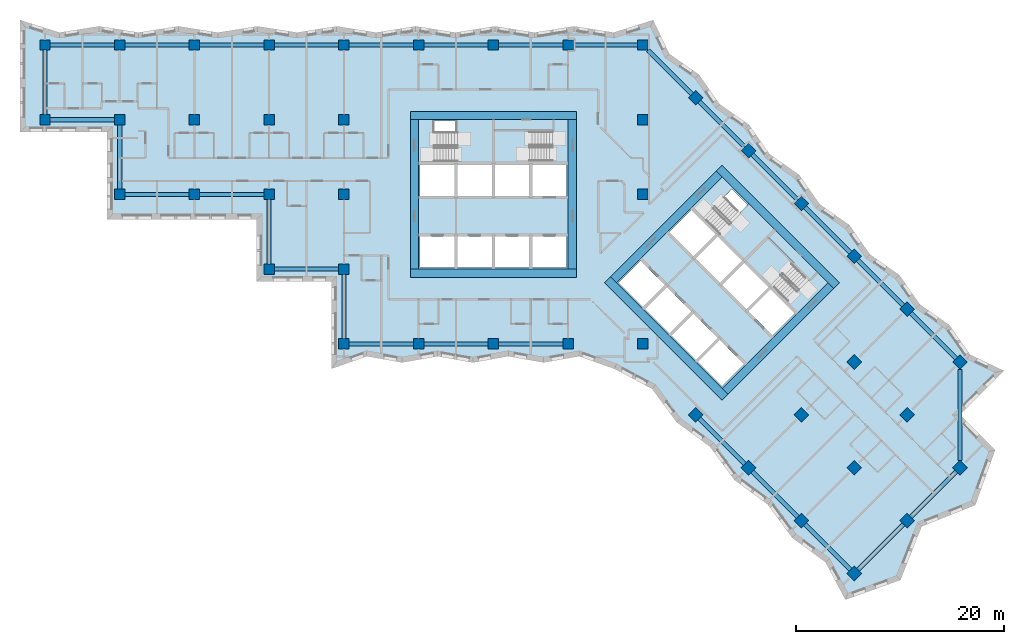
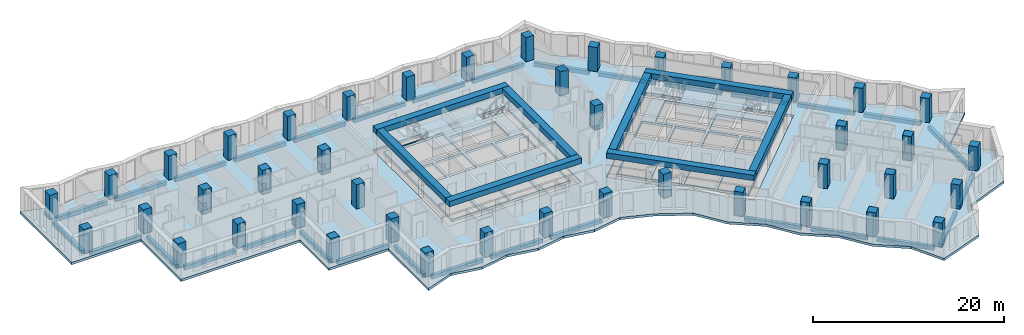
# One storey, part 1 of 13: 43 columns, 39 beams, 7 slabs, 22 openings, 4 elements without a shape of their own.
"""IFC4 building model written with IfcOpenShell, lengths in metres."""

from ifc_helpers import new_model, si_unit, direction, frame, origin, origin_2d, place, context, subcontext, project, spatial, polyline, rectangle, outline, extrude, material, layer, layer_set, material_profile, profile_set, type_object, element, aggregate, save


model = new_model("IFC4")

# Units and contexts
model_context = context("Model", 3, precision=1e-05, world=origin(), true_north=direction((0.0, 1.0)))
body_context = subcontext(model_context, "Body", "Model", "MODEL_VIEW")
ifc_project = project(units=[si_unit("LENGTHUNIT", "METRE"), si_unit("AREAUNIT", "SQUARE_METRE"), si_unit("VOLUMEUNIT", "CUBIC_METRE"), si_unit("PLANEANGLEUNIT", "RADIAN"), si_unit("MASSUNIT", "GRAM", prefix="KILO")], contexts=[model_context])

# Site, building, storey
site_placement = place(None, origin())
site = spatial("IfcSite", under=ifc_project, at=site_placement, CompositionType="ELEMENT")
building_placement = place(site_placement, origin())
building = spatial("IfcBuilding", under=site, at=building_placement, Name="Windrow Commons", CompositionType="ELEMENT")
storey_placement = place(building_placement, frame((0.0, 0.0, 115.2)))
storey = spatial("IfcBuildingStorey", under=building, at=storey_placement, Name="L31", CompositionType="ELEMENT", Elevation=115.2)

# Columns
ifc_material_1 = material(Name="Concrete C60/75", Category="concrete")
ifc_material_profile_1 = material_profile(ifc_material_1, rectangle(XDim=1.0, YDim=1.0, at=origin_2d()))
ifc_profile_set_1 = profile_set([ifc_material_profile_1], Name="Concrete C60/75")
column_type = type_object("IfcColumnType", Name="RC COLUMN 1000x1000 C60/75", PredefinedType="COLUMN", material=ifc_profile_set_1)
for number, where, z_axis, x_axis, name in (
    (1, (21.6, 64.8, 0.0), (0.0, 0.0, 1.0), (1.0, 0.0, 0.0), "C-Z2-04I"),
    (2, (21.6, 72.0, 0.0), (0.0, 0.0, 1.0), (1.0, 0.0, 0.0), "C-Z2-04J"),
    (3, (28.8, 57.6, 0.0), (0.0, 0.0, 1.0), (1.0, 0.0, 0.0), "C-Z2-05H"),
    (4, (28.8, 64.8, 0.0), (0.0, 0.0, 1.0), (1.0, 0.0, 0.0), "C-Z2-05I"),
    (5, (28.8, 72.0, 0.0), (0.0, 0.0, 1.0), (1.0, 0.0, 0.0), "C-Z2-05J"),
    (6, (36.0, 57.6, 0.0), (0.0, 0.0, 1.0), (1.0, 0.0, 0.0), "C-Z2-06H"),
    (7, (36.0, 64.8, 0.0), (0.0, 0.0, 1.0), (1.0, 0.0, 0.0), "C-Z2-06I"),
    (8, (36.0, 72.0, 0.0), (0.0, 0.0, 1.0), (1.0, 0.0, 0.0), "C-Z2-06J"),
    (9, (43.2, 50.4, 0.0), (0.0, 0.0, 1.0), (1.0, 0.0, 0.0), "C-Z2-07G"),
    (10, (43.2, 57.6, 0.0), (0.0, 0.0, 1.0), (1.0, 0.0, 0.0), "C-Z2-07H"),
    (11, (43.2, 64.8, 0.0), (0.0, 0.0, 1.0), (1.0, 0.0, 0.0), "C-Z2-07I"),
    (12, (43.2, 72.0, 0.0), (0.0, 0.0, 1.0), (1.0, 0.0, 0.0), "C-Z2-07J"),
    (13, (50.4, 43.2, 0.0), (0.0, 0.0, 1.0), (1.0, 0.0, 0.0), "C-Z2-08F"),
    (14, (50.4, 50.4, 0.0), (0.0, 0.0, 1.0), (1.0, 0.0, 0.0), "C-Z2-08G"),
    (15, (50.4, 57.6, 0.0), (0.0, 0.0, 1.0), (1.0, 0.0, 0.0), "C-Z2-08H"),
    (16, (50.4, 64.8, 0.0), (0.0, 0.0, 1.0), (1.0, 0.0, 0.0), "C-Z2-08I"),
    (17, (50.4, 72.0, 0.0), (0.0, 0.0, 1.0), (1.0, 0.0, 0.0), "C-Z2-08J"),
    (18, (57.6, 43.2, 0.0), (0.0, 0.0, 1.0), (1.0, 0.0, 0.0), "C-Z2-09F"),
    (19, (57.6, 72.0, 0.0), (0.0, 0.0, 1.0), (1.0, 0.0, 0.0), "C-Z2-09J"),
    (20, (64.8, 43.2, 0.0), (0.0, 0.0, 1.0), (1.0, 0.0, 0.0), "C-Z2-10F"),
    (21, (64.8, 72.0, 0.0), (0.0, 0.0, 1.0), (1.0, 0.0, 0.0), "C-Z2-10J"),
    (22, (72.0, 43.2, 0.0), (0.0, 0.0, 1.0), (1.0, 0.0, 0.0), "C-Z2-11F"),
    (23, (72.0, 72.0, 0.0), (0.0, 0.0, 1.0), (1.0, 0.0, 0.0), "C-Z2-11J"),
    (24, (79.2, 43.2, 0.0), (0.0, 0.0, 1.0), (1.0, 0.0, 0.0), "C-Z2-12F"),
    (25, (79.2, 57.6, 0.0), (0.0, 0.0, 1.0), (1.0, 0.0, 0.0), "C-Z2-12H"),
    (26, (79.2, 64.8, 0.0), (0.0, 0.0, 1.0), (1.0, 0.0, 0.0), "C-Z2-12I"),
    (27, (79.2, 72.0, 0.0), (0.0, 0.0, 1.0), (1.0, 0.0, 0.0), "C-Z2-12J"),
    (28, (84.2912, 66.9088, 0.0), (0.0, 0.0, 1.0), (0.7071067812, -0.7071067812, 0.0), "C-Z2-P2Q"),
    (29, (89.3823, 61.8177, 0.0), (0.0, 0.0, 1.0), (0.7071067812, -0.7071067812, 0.0), "C-Z2-P3Q"),
    (30, (94.4735, 56.7265, 0.0), (0.0, 0.0, 1.0), (0.7071067812, -0.7071067812, 0.0), "C-Z2-P4Q"),
    (31, (99.5647, 51.6353, 0.0), (0.0, 0.0, 1.0), (0.7071067812, -0.7071067812, 0.0), "C-Z2-P5Q"),
    (32, (84.2912, 36.3618, 0.0), (0.0, 0.0, 1.0), (0.7071067812, -0.7071067812, 0.0), "C-Z2-P5T"),
    (33, (104.6558, 46.5442, 0.0), (0.0, 0.0, 1.0), (0.7071067812, -0.7071067812, 0.0), "C-Z2-P6Q"),
    (34, (99.5647, 41.453, 0.0), (0.0, 0.0, 1.0), (0.7071067812, -0.7071067812, 0.0), "C-Z2-P6R"),
    (35, (94.4735, 36.3618, 0.0), (0.0, 0.0, 1.0), (0.7071067812, -0.7071067812, 0.0), "C-Z2-P6S"),
    (36, (89.3823, 31.2706, 0.0), (0.0, 0.0, 1.0), (0.7071067812, -0.7071067812, 0.0), "C-Z2-P6T"),
    (37, (109.747, 41.453, 0.0), (0.0, 0.0, 1.0), (0.7071067812, -0.7071067812, 0.0), "C-Z2-P7Q"),
    (38, (104.6558, 36.3618, 0.0), (0.0, 0.0, 1.0), (0.7071067812, -0.7071067812, 0.0), "C-Z2-P7R"),
    (39, (99.5647, 31.2706, 0.0), (0.0, 0.0, 1.0), (0.7071067812, -0.7071067812, 0.0), "C-Z2-P7S"),
    (40, (94.4735, 26.1795, 0.0), (0.0, 0.0, 1.0), (0.7071067812, -0.7071067812, 0.0), "C-Z2-P7T"),
    (41, (109.747, 31.2706, 0.0), (0.0, 0.0, 1.0), (0.7071067812, -0.7071067812, 0.0), "C-Z2-P8R"),
    (42, (104.6558, 26.1795, 0.0), (0.0, 0.0, 1.0), (0.7071067812, -0.7071067812, 0.0), "C-Z2-P8S"),
    (43, (99.5647, 21.0883, 0.0), (0.0, 0.0, 1.0), (0.7071067812, -0.7071067812, 0.0), "C-Z2-P8T"),
):
    element("IfcColumn", number, at=place(storey_placement, frame(where, z_axis=z_axis, x_axis=x_axis)), inside=storey, type_object=column_type, Name=name, PredefinedType="COLUMN", context=body_context, shape_type="SweptSolid", body=[
        extrude(rectangle(XDim=1.0, YDim=1.0, at=origin_2d()), origin(), (0.0, 0.0, 1.0), 3.1),
    ])

# Beams
ifc_material_2 = material(Name="Concrete C50/60", Category="concrete")
ifc_material_profile_2 = material_profile(ifc_material_2, rectangle(XDim=0.8, YDim=0.7, at=origin_2d()))
ifc_profile_set_2 = profile_set([ifc_material_profile_2], Name="Concrete C50/60")
beam_type_1 = type_object("IfcBeamType", Name="RC COUPLING BEAM 800x700 C50/60", PredefinedType="LINTEL", material=ifc_profile_set_2)
for number, where, z_axis, x_axis, name in (
    (44, (56.8, 50.0, 2.75), (1.0, 0.0, 0.0), (0.0, 1.0, 0.0), "Core A coupling beam outer-S"),
    (45, (56.8, 65.2, 2.75), (1.0, 0.0, 0.0), (0.0, 1.0, 0.0), "Core A coupling beam outer-N"),
):
    element("IfcBeam", number, at=place(storey_placement, frame(where, z_axis=z_axis, x_axis=x_axis)), inside=storey, type_object=beam_type_1, Name=name, PredefinedType="LINTEL", context=body_context, shape_type="SweptSolid", body=[
        extrude(rectangle(XDim=0.8, YDim=0.7, at=origin_2d()), origin(), (0.0, 0.0, 1.0), 16.0),
    ])
for number, where, z_axis, x_axis, name in (
    (46, (57.2, 50.4, 2.75), (0.0, 1.0, 0.0), (-1.0, 0.0, 0.0), "Core A coupling beam outer-W"),
    (47, (72.4, 50.4, 2.75), (0.0, 1.0, 0.0), (-1.0, 0.0, 0.0), "Core A coupling beam outer-E"),
):
    element("IfcBeam", number, at=place(storey_placement, frame(where, z_axis=z_axis, x_axis=x_axis)), inside=storey, type_object=beam_type_1, Name=name, PredefinedType="LINTEL", context=body_context, shape_type="SweptSolid", body=[
        extrude(rectangle(XDim=0.8, YDim=0.7, at=origin_2d()), origin(), (0.0, 0.0, 1.0), 14.4),
    ])
for number, where, z_axis, x_axis, name in (
    (48, (75.8059, 49.3726, 2.75), (0.7071067812, -0.7071067812, 0.0), (0.7071067812, 0.7071067812, 0.0), "Core B coupling beam outer-S"),
    (49, (86.5539, 60.1206, 2.75), (0.7071067812, -0.7071067812, 0.0), (0.7071067812, 0.7071067812, 0.0), "Core B coupling beam outer-N"),
):
    element("IfcBeam", number, at=place(storey_placement, frame(where, z_axis=z_axis, x_axis=x_axis)), inside=storey, type_object=beam_type_1, Name=name, PredefinedType="LINTEL", context=body_context, shape_type="SweptSolid", body=[
        extrude(rectangle(XDim=0.8, YDim=0.7, at=origin_2d()), origin(), (0.0, 0.0, 1.0), 16.0),
    ])
for number, where, z_axis, x_axis, name in (
    (50, (76.3716, 49.3726, 2.75), (0.7071067812, 0.7071067812, 0.0), (-0.7071067812, 0.7071067812, 0.0), "Core B coupling beam outer-W"),
    (51, (87.1196, 38.6246, 2.75), (0.7071067812, 0.7071067812, 0.0), (-0.7071067812, 0.7071067812, 0.0), "Core B coupling beam outer-E"),
):
    element("IfcBeam", number, at=place(storey_placement, frame(where, z_axis=z_axis, x_axis=x_axis)), inside=storey, type_object=beam_type_1, Name=name, PredefinedType="LINTEL", context=body_context, shape_type="SweptSolid", body=[
        extrude(rectangle(XDim=0.8, YDim=0.7, at=origin_2d()), origin(), (0.0, 0.0, 1.0), 14.3999),
    ])
ifc_material_3 = material(Name="Concrete C50/60", Category="concrete")
ifc_material_profile_3 = material_profile(ifc_material_3, rectangle(XDim=0.4, YDim=0.5, at=origin_2d()))
ifc_profile_set_3 = profile_set([ifc_material_profile_3], Name="Concrete C50/60")
beam_type_2 = type_object("IfcBeamType", Name="RC EDGE BEAM 400x500 C50/60", PredefinedType="SPANDREL", material=ifc_profile_set_3)
for number, where, z_axis, x_axis, name in (
    (52, (35.5, 57.6, -0.55), (-1.0, 0.0, 0.0), (0.0, -1.0, 0.0), "Edge beam L31 001"),
    (53, (28.8, 58.1, -0.55), (0.0, 1.0, 0.0), (-1.0, 0.0, 0.0), "Edge beam L31 002"),
    (54, (28.3, 64.8, -0.55), (-1.0, 0.0, 0.0), (0.0, -1.0, 0.0), "Edge beam L31 003"),
    (55, (21.6, 65.3, -0.55), (0.0, 1.0, 0.0), (-1.0, 0.0, 0.0), "Edge beam L31 004"),
    (56, (22.1, 72.0, -0.55), (1.0, 0.0, 0.0), (0.0, 1.0, 0.0), "Edge beam L31 005"),
    (57, (29.3, 72.0, -0.55), (1.0, 0.0, 0.0), (0.0, 1.0, 0.0), "Edge beam L31 006"),
    (58, (36.5, 72.0, -0.55), (1.0, 0.0, 0.0), (0.0, 1.0, 0.0), "Edge beam L31 007"),
    (59, (43.7, 72.0, -0.55), (1.0, 0.0, 0.0), (0.0, 1.0, 0.0), "Edge beam L31 008"),
    (60, (50.9, 72.0, -0.55), (1.0, 0.0, 0.0), (0.0, 1.0, 0.0), "Edge beam L31 009"),
    (61, (58.1, 72.0, -0.55), (1.0, 0.0, 0.0), (0.0, 1.0, 0.0), "Edge beam L31 010"),
    (62, (65.3, 72.0, -0.55), (1.0, 0.0, 0.0), (0.0, 1.0, 0.0), "Edge beam L31 011"),
    (63, (72.5, 72.0, -0.55), (1.0, 0.0, 0.0), (0.0, 1.0, 0.0), "Edge beam L31 012"),
):
    element("IfcBeam", number, at=place(storey_placement, frame(where, z_axis=z_axis, x_axis=x_axis)), inside=storey, type_object=beam_type_2, Name=name, PredefinedType="SPANDREL", context=body_context, shape_type="SweptSolid", body=[
        extrude(rectangle(XDim=0.4, YDim=0.5, at=origin_2d()), origin(), (0.0, 0.0, 1.0), 6.2),
    ])
beam_1_placement = place(storey_placement, frame((79.7, 71.5, -0.55), z_axis=(0.7071067812, -0.7071067812, 0.0), x_axis=(0.7071067812, 0.7071067812, 0.0)))
element("IfcBeam", 64, at=beam_1_placement, inside=storey, type_object=beam_type_2, Name="Edge beam L31 013", PredefinedType="SPANDREL", context=body_context, shape_type="SweptSolid", body=[
    extrude(rectangle(XDim=0.4, YDim=0.5, at=origin_2d()), origin(), (0.0, 0.0, 1.0), 5.9929),
])
beam_2_placement = place(storey_placement, frame((84.6448, 66.5552, -0.55), z_axis=(0.7071067812, -0.7071067812, 0.0), x_axis=(0.7071067812, 0.7071067812, 0.0)))
element("IfcBeam", 65, at=beam_2_placement, inside=storey, type_object=beam_type_2, Name="Edge beam L31 014", PredefinedType="SPANDREL", context=body_context, shape_type="SweptSolid", body=[
    extrude(rectangle(XDim=0.4, YDim=0.5, at=origin_2d()), origin(), (0.0, 0.0, 1.0), 6.1998),
])
for number, where, z_axis, x_axis, name in (
    (66, (89.7359, 61.4641, -0.55), (0.7071067812, -0.7071067812, 0.0), (0.7071067812, 0.7071067812, 0.0), "Edge beam L31 015"),
    (67, (94.8271, 56.3729, -0.55), (0.7071067812, -0.7071067812, 0.0), (0.7071067812, 0.7071067812, 0.0), "Edge beam L31 016"),
):
    element("IfcBeam", number, at=place(storey_placement, frame(where, z_axis=z_axis, x_axis=x_axis)), inside=storey, type_object=beam_type_2, Name=name, PredefinedType="SPANDREL", context=body_context, shape_type="SweptSolid", body=[
        extrude(rectangle(XDim=0.4, YDim=0.5, at=origin_2d()), origin(), (0.0, 0.0, 1.0), 6.1999),
    ])
beam_3_placement = place(storey_placement, frame((99.9183, 51.2817, -0.55), z_axis=(0.7071067812, -0.7071067812, 0.0), x_axis=(0.7071067812, 0.7071067812, 0.0)))
element("IfcBeam", 68, at=beam_3_placement, inside=storey, type_object=beam_type_2, Name="Edge beam L31 017", PredefinedType="SPANDREL", context=body_context, shape_type="SweptSolid", body=[
    extrude(rectangle(XDim=0.4, YDim=0.5, at=origin_2d()), origin(), (0.0, 0.0, 1.0), 6.1998),
])
beam_4_placement = place(storey_placement, frame((105.0094, 46.1906, -0.55), z_axis=(0.7071067812, -0.7071067812, 0.0), x_axis=(0.7071067812, 0.7071067812, 0.0)))
element("IfcBeam", 69, at=beam_4_placement, inside=storey, type_object=beam_type_2, Name="Edge beam L31 018", PredefinedType="SPANDREL", context=body_context, shape_type="SweptSolid", body=[
    extrude(rectangle(XDim=0.4, YDim=0.5, at=origin_2d()), origin(), (0.0, 0.0, 1.0), 6.1999),
])
beam_5_placement = place(storey_placement, frame((109.747, 40.7459, -0.55), z_axis=(0.0, -1.0, 0.0), x_axis=(1.0, 0.0, 0.0)))
element("IfcBeam", 70, at=beam_5_placement, inside=storey, type_object=beam_type_2, Name="Edge beam L31 019", PredefinedType="SPANDREL", context=body_context, shape_type="SweptSolid", body=[
    extrude(rectangle(XDim=0.4, YDim=0.5, at=origin_2d()), origin(), (0.0, 0.0, 1.0), 8.7682),
])
for number, where, z_axis, x_axis, name in (
    (71, (109.3934, 30.917, -0.55), (-0.7071148459, -0.7070987164, 0.0), (0.7070987164, -0.7071148459, 0.0), "Edge beam L31 020"),
    (72, (104.3022, 25.8259, -0.55), (-0.7070987164, -0.7071148459, 0.0), (0.7071148459, -0.7070987164, 0.0), "Edge beam L31 021"),
):
    element("IfcBeam", number, at=place(storey_placement, frame(where, z_axis=z_axis, x_axis=x_axis)), inside=storey, type_object=beam_type_2, Name=name, PredefinedType="SPANDREL", context=body_context, shape_type="SweptSolid", body=[
        extrude(rectangle(XDim=0.4, YDim=0.5, at=origin_2d()), origin(), (0.0, 0.0, 1.0), 6.1998),
    ])
beam_6_placement = place(storey_placement, frame((99.2111, 21.4419, -0.55), z_axis=(-0.7071067812, 0.7071067812, 0.0), x_axis=(-0.7071067812, -0.7071067812, 0.0)))
element("IfcBeam", 73, at=beam_6_placement, inside=storey, type_object=beam_type_2, Name="Edge beam L31 022", PredefinedType="SPANDREL", context=body_context, shape_type="SweptSolid", body=[
    extrude(rectangle(XDim=0.4, YDim=0.5, at=origin_2d()), origin(), (0.0, 0.0, 1.0), 6.1999),
])
for number, where, z_axis, x_axis, name in (
    (74, (94.1199, 26.5331, -0.55), (-0.7071148459, 0.7070987164, 0.0), (-0.7070987164, -0.7071148459, 0.0), "Edge beam L31 023"),
    (75, (89.0287, 31.6242, -0.55), (-0.7070987164, 0.7071148459, 0.0), (-0.7071148459, -0.7070987164, 0.0), "Edge beam L31 024"),
):
    element("IfcBeam", number, at=place(storey_placement, frame(where, z_axis=z_axis, x_axis=x_axis)), inside=storey, type_object=beam_type_2, Name=name, PredefinedType="SPANDREL", context=body_context, shape_type="SweptSolid", body=[
        extrude(rectangle(XDim=0.4, YDim=0.5, at=origin_2d()), origin(), (0.0, 0.0, 1.0), 6.1998),
    ])
for number, where, z_axis, x_axis, name in (
    (76, (71.5, 43.2, -0.55), (-1.0, 0.0, 0.0), (0.0, -1.0, 0.0), "Edge beam L31 025"),
    (77, (64.3, 43.2, -0.55), (-1.0, 0.0, 0.0), (0.0, -1.0, 0.0), "Edge beam L31 026"),
    (78, (57.1, 43.2, -0.55), (-1.0, 0.0, 0.0), (0.0, -1.0, 0.0), "Edge beam L31 027"),
    (79, (50.4, 43.7, -0.55), (0.0, 1.0, 0.0), (-1.0, 0.0, 0.0), "Edge beam L31 028"),
    (80, (49.9, 50.4, -0.55), (-1.0, 0.0, 0.0), (0.0, -1.0, 0.0), "Edge beam L31 029"),
    (81, (43.2, 50.9, -0.55), (0.0, 1.0, 0.0), (-1.0, 0.0, 0.0), "Edge beam L31 030"),
    (82, (42.7, 57.6, -0.55), (-1.0, 0.0, 0.0), (0.0, -1.0, 0.0), "Edge beam L31 031"),
):
    element("IfcBeam", number, at=place(storey_placement, frame(where, z_axis=z_axis, x_axis=x_axis)), inside=storey, type_object=beam_type_2, Name=name, PredefinedType="SPANDREL", context=body_context, shape_type="SweptSolid", body=[
        extrude(rectangle(XDim=0.4, YDim=0.5, at=origin_2d()), origin(), (0.0, 0.0, 1.0), 6.2),
    ])

# Slab, openings
ifc_material_4 = material(Name="Concrete C50/60", Category="concrete")
ifc_layer_1 = layer(ifc_material_4, 0.3)
ifc_layer_set_1 = layer_set([ifc_layer_1], Name="CORE FLOOR SLAB 300 C50/60")
slab_type_1 = type_object("IfcSlabType", Name="CORE FLOOR SLAB 300 C50/60", PredefinedType="FLOOR", material=ifc_layer_set_1)
placement_1 = place(storey_placement, frame((0.0, 0.0, -0.3)))
slab_1 = element("IfcSlab", 83, at=placement_1, inside=storey, type_object=slab_type_1, Name="S-L31-core-A", PredefinedType="FLOOR", context=body_context, shape_type="SweptSolid", body=[
    extrude(outline(polyline([(57.6, 50.4), (72.0, 50.4), (72.0, 64.8), (57.6, 64.8), (57.6, 50.4)]), holes=[polyline([(57.75, 50.55), (61.05, 50.55), (61.05, 53.55), (57.75, 53.55), (57.75, 50.55)]), polyline([(61.35, 50.55), (64.65, 50.55), (64.65, 53.55), (61.35, 53.55), (61.35, 50.55)]), polyline([(64.95, 50.55), (68.25, 50.55), (68.25, 53.55), (64.95, 53.55), (64.95, 50.55)]), polyline([(68.55, 50.55), (71.85, 50.55), (71.85, 53.55), (68.55, 53.55), (68.55, 50.55)]), polyline([(57.75, 57.45), (61.05, 57.45), (61.05, 60.45), (57.75, 60.45), (57.75, 57.45)]), polyline([(61.35, 57.45), (64.65, 57.45), (64.65, 60.45), (61.35, 60.45), (61.35, 57.45)]), polyline([(64.95, 57.45), (68.25, 57.45), (68.25, 60.45), (64.95, 60.45), (64.95, 57.45)]), polyline([(68.55, 57.45), (71.85, 57.45), (71.85, 60.45), (68.55, 60.45), (68.55, 57.45)]), polyline([(59.1, 60.75), (64.65, 60.75), (64.65, 64.65), (59.1, 64.65), (59.1, 60.75)]), polyline([(64.95, 60.75), (70.5, 60.75), (70.5, 63.705), (64.95, 63.705), (64.95, 60.75)])]), origin(), (0.0, 0.0, 1.0), 0.3),
])
opening_1_placement = place(placement_1, origin())
element("IfcOpeningElement", 84, at=opening_1_placement, cuts=slab_1, Name="Slab opening S-L31-core-A 1", PredefinedType="OPENING", context=body_context, shape_type="SweptSolid", body=[
    extrude(outline(polyline([(57.755, 50.555), (57.755, 53.545), (61.045, 53.545), (61.045, 50.555), (57.755, 50.555)])), origin(), (0.0, 0.0, 1.0), 0.3),
])
opening_2_placement = place(placement_1, origin())
element("IfcOpeningElement", 85, at=opening_2_placement, cuts=slab_1, Name="Slab opening S-L31-core-A 2", PredefinedType="OPENING", context=body_context, shape_type="SweptSolid", body=[
    extrude(outline(polyline([(61.355, 50.555), (61.355, 53.545), (64.645, 53.545), (64.645, 50.555), (61.355, 50.555)])), origin(), (0.0, 0.0, 1.0), 0.3),
])
opening_3_placement = place(placement_1, origin())
element("IfcOpeningElement", 86, at=opening_3_placement, cuts=slab_1, Name="Slab opening S-L31-core-A 3", PredefinedType="OPENING", context=body_context, shape_type="SweptSolid", body=[
    extrude(outline(polyline([(64.955, 50.555), (64.955, 53.545), (68.245, 53.545), (68.245, 50.555), (64.955, 50.555)])), origin(), (0.0, 0.0, 1.0), 0.3),
])
opening_4_placement = place(placement_1, origin())
element("IfcOpeningElement", 87, at=opening_4_placement, cuts=slab_1, Name="Slab opening S-L31-core-A 4", PredefinedType="OPENING", context=body_context, shape_type="SweptSolid", body=[
    extrude(outline(polyline([(68.555, 50.555), (68.555, 53.545), (71.845, 53.545), (71.845, 50.555), (68.555, 50.555)])), origin(), (0.0, 0.0, 1.0), 0.3),
])
opening_5_placement = place(placement_1, origin())
element("IfcOpeningElement", 88, at=opening_5_placement, cuts=slab_1, Name="Slab opening S-L31-core-A 5", PredefinedType="OPENING", context=body_context, shape_type="SweptSolid", body=[
    extrude(outline(polyline([(57.755, 57.455), (57.755, 60.445), (61.045, 60.445), (61.045, 57.455), (57.755, 57.455)])), origin(), (0.0, 0.0, 1.0), 0.3),
])
opening_6_placement = place(placement_1, origin())
element("IfcOpeningElement", 89, at=opening_6_placement, cuts=slab_1, Name="Slab opening S-L31-core-A 6", PredefinedType="OPENING", context=body_context, shape_type="SweptSolid", body=[
    extrude(outline(polyline([(61.355, 57.455), (61.355, 60.445), (64.645, 60.445), (64.645, 57.455), (61.355, 57.455)])), origin(), (0.0, 0.0, 1.0), 0.3),
])
opening_7_placement = place(placement_1, origin())
element("IfcOpeningElement", 90, at=opening_7_placement, cuts=slab_1, Name="Slab opening S-L31-core-A 7", PredefinedType="OPENING", context=body_context, shape_type="SweptSolid", body=[
    extrude(outline(polyline([(64.955, 57.455), (64.955, 60.445), (68.245, 60.445), (68.245, 57.455), (64.955, 57.455)])), origin(), (0.0, 0.0, 1.0), 0.3),
])
opening_8_placement = place(placement_1, origin())
element("IfcOpeningElement", 91, at=opening_8_placement, cuts=slab_1, Name="Slab opening S-L31-core-A 8", PredefinedType="OPENING", context=body_context, shape_type="SweptSolid", body=[
    extrude(outline(polyline([(68.555, 57.455), (68.555, 60.445), (71.845, 60.445), (71.845, 57.455), (68.555, 57.455)])), origin(), (0.0, 0.0, 1.0), 0.3),
])
opening_9_placement = place(placement_1, origin())
element("IfcOpeningElement", 92, at=opening_9_placement, cuts=slab_1, Name="Slab opening S-L31-core-A 9", PredefinedType="OPENING", context=body_context, shape_type="SweptSolid", body=[
    extrude(outline(polyline([(59.105, 60.755), (59.105, 64.645), (64.645, 64.645), (64.645, 60.755), (59.105, 60.755)])), origin(), (0.0, 0.0, 1.0), 0.3),
])
opening_10_placement = place(placement_1, origin())
element("IfcOpeningElement", 93, at=opening_10_placement, cuts=slab_1, Name="Slab opening S-L31-core-A 10", PredefinedType="OPENING", context=body_context, shape_type="SweptSolid", body=[
    extrude(outline(polyline([(64.955, 60.755), (64.955, 63.7), (70.495, 63.7), (70.495, 60.755), (64.955, 60.755)])), origin(), (0.0, 0.0, 1.0), 0.3),
])

slab_2 = element("IfcSlab", 94, at=placement_1, inside=storey, type_object=slab_type_1, Name="S-L31-core-B", PredefinedType="FLOOR", context=body_context, shape_type="SweptSolid", body=[
    extrude(outline(polyline([(76.6544, 49.0897), (86.8368, 38.9074), (97.0191, 49.0897), (86.8368, 59.2721), (76.6544, 49.0897)]), holes=[polyline([(76.8665, 49.0897), (79.2, 46.7563), (81.3213, 48.8776), (78.9879, 51.2111), (76.8665, 49.0897)]), polyline([(79.4121, 46.5442), (81.7456, 44.2107), (83.8669, 46.332), (81.5335, 48.6655), (79.4121, 46.5442)]), polyline([(81.9577, 43.9986), (84.2912, 41.6651), (86.4125, 43.7864), (84.079, 46.1199), (81.9577, 43.9986)]), polyline([(84.5033, 41.453), (86.8368, 39.1195), (88.9581, 41.2409), (86.6246, 43.5743), (84.5033, 41.453)]), polyline([(81.7456, 53.9688), (84.079, 51.6353), (86.2004, 53.7566), (83.8669, 56.0901), (81.7456, 53.9688)]), polyline([(84.2912, 51.4232), (86.6246, 49.0897), (88.7459, 51.2111), (86.4125, 53.5445), (84.2912, 51.4232)]), polyline([(86.8368, 48.8776), (89.1702, 46.5442), (91.2915, 48.6655), (88.9581, 50.9989), (86.8368, 48.8776)]), polyline([(89.3823, 46.332), (91.7158, 43.9986), (93.8371, 46.1199), (91.5037, 48.4533), (89.3823, 46.332)]), polyline([(85.0336, 55.3476), (88.9581, 51.4232), (91.7158, 54.1809), (87.7913, 58.1054), (85.0336, 55.3476)]), polyline([(89.1702, 51.2111), (93.0946, 47.2866), (95.1841, 49.3761), (91.2597, 53.3006), (89.1702, 51.2111)])]), origin(), (0.0, 0.0, 1.0), 0.3),
])
opening_11_placement = place(placement_1, origin())
element("IfcOpeningElement", 95, at=opening_11_placement, cuts=slab_2, Name="Slab opening S-L31-core-B 1", PredefinedType="OPENING", context=body_context, shape_type="SweptSolid", body=[
    extrude(outline(polyline([(76.8736, 49.0897), (78.9879, 51.204), (81.3142, 48.8776), (79.2, 46.7634), (76.8736, 49.0897)])), origin(), (0.0, 0.0, 1.0), 0.3),
])
opening_12_placement = place(placement_1, origin())
element("IfcOpeningElement", 96, at=opening_12_placement, cuts=slab_2, Name="Slab opening S-L31-core-B 2", PredefinedType="OPENING", context=body_context, shape_type="SweptSolid", body=[
    extrude(outline(polyline([(79.4192, 46.5442), (81.5335, 48.6584), (83.8598, 46.332), (81.7456, 44.2178), (79.4192, 46.5442)])), origin(), (0.0, 0.0, 1.0), 0.3),
])
opening_13_placement = place(placement_1, origin())
element("IfcOpeningElement", 97, at=opening_13_placement, cuts=slab_2, Name="Slab opening S-L31-core-B 3", PredefinedType="OPENING", context=body_context, shape_type="SweptSolid", body=[
    extrude(outline(polyline([(81.9648, 43.9986), (84.079, 46.1128), (86.4054, 43.7864), (84.2912, 41.6722), (81.9648, 43.9986)])), origin(), (0.0, 0.0, 1.0), 0.3),
])
opening_14_placement = place(placement_1, origin())
element("IfcOpeningElement", 98, at=opening_14_placement, cuts=slab_2, Name="Slab opening S-L31-core-B 4", PredefinedType="OPENING", context=body_context, shape_type="SweptSolid", body=[
    extrude(outline(polyline([(84.5104, 41.453), (86.6246, 43.5672), (88.951, 41.2409), (86.8368, 39.1266), (84.5104, 41.453)])), origin(), (0.0, 0.0, 1.0), 0.3),
])
opening_15_placement = place(placement_1, origin())
element("IfcOpeningElement", 99, at=opening_15_placement, cuts=slab_2, Name="Slab opening S-L31-core-B 5", PredefinedType="OPENING", context=body_context, shape_type="SweptSolid", body=[
    extrude(outline(polyline([(81.7527, 53.9688), (83.8669, 56.083), (86.1933, 53.7566), (84.079, 51.6424), (81.7527, 53.9688)])), origin(), (0.0, 0.0, 1.0), 0.3),
])
opening_16_placement = place(placement_1, origin())
element("IfcOpeningElement", 100, at=opening_16_placement, cuts=slab_2, Name="Slab opening S-L31-core-B 6", PredefinedType="OPENING", context=body_context, shape_type="SweptSolid", body=[
    extrude(outline(polyline([(84.2983, 51.4232), (86.4125, 53.5374), (88.7388, 51.2111), (86.6246, 49.0968), (84.2983, 51.4232)])), origin(), (0.0, 0.0, 1.0), 0.3),
])
opening_17_placement = place(placement_1, origin())
element("IfcOpeningElement", 101, at=opening_17_placement, cuts=slab_2, Name="Slab opening S-L31-core-B 7", PredefinedType="OPENING", context=body_context, shape_type="SweptSolid", body=[
    extrude(outline(polyline([(86.8439, 48.8776), (88.9581, 50.9918), (91.2844, 48.6655), (89.1702, 46.5513), (86.8439, 48.8776)])), origin(), (0.0, 0.0, 1.0), 0.3),
])
opening_18_placement = place(placement_1, origin())
element("IfcOpeningElement", 102, at=opening_18_placement, cuts=slab_2, Name="Slab opening S-L31-core-B 8", PredefinedType="OPENING", context=body_context, shape_type="SweptSolid", body=[
    extrude(outline(polyline([(89.3894, 46.332), (91.5037, 48.4462), (93.83, 46.1199), (91.7158, 44.0057), (89.3894, 46.332)])), origin(), (0.0, 0.0, 1.0), 0.3),
])
opening_19_placement = place(placement_1, origin())
element("IfcOpeningElement", 103, at=opening_19_placement, cuts=slab_2, Name="Slab opening S-L31-core-B 9", PredefinedType="OPENING", context=body_context, shape_type="SweptSolid", body=[
    extrude(outline(polyline([(85.0407, 55.3476), (87.7913, 58.0983), (91.7087, 54.1809), (88.9581, 51.4303), (85.0407, 55.3476)])), origin(), (0.0, 0.0, 1.0), 0.3),
])
opening_20_placement = place(placement_1, origin())
element("IfcOpeningElement", 104, at=opening_20_placement, cuts=slab_2, Name="Slab opening S-L31-core-B 10", PredefinedType="OPENING", context=body_context, shape_type="SweptSolid", body=[
    extrude(outline(polyline([(89.1773, 51.2111), (91.2597, 53.2935), (95.177, 49.3761), (93.0946, 47.2937), (89.1773, 51.2111)])), origin(), (0.0, 0.0, 1.0), 0.3),
])

# Stair, slab
ifc_material_5 = material(Name="Concrete C40/50", Category="concrete")
stair_type = type_object("IfcStairType", Name="Core stair", PredefinedType="HALF_TURN_STAIR", material=ifc_material_5)
placement_2 = place(storey_placement, origin())
stair_1 = element("IfcStair", 105, at=placement_2, inside=storey, type_object=stair_type, Name="L31 Exit stair A1 core A", PredefinedType="HALF_TURN_STAIR")
ifc_material_6 = material(Name="Concrete C40/50", Category="concrete")
ifc_layer_2 = layer(ifc_material_6, 0.2)
ifc_layer_set_2 = layer_set([ifc_layer_2], Name="Core stair landing")
slab_type_2 = type_object("IfcSlabType", Name="Core stair landing", PredefinedType="LANDING", material=ifc_layer_set_2)
placement_3 = place(storey_placement, frame((0.0, 0.0, 1.5)))
slab_3 = element("IfcSlab", 106, at=placement_3, type_object=slab_type_2, Name="ST-A1 landing 1", PredefinedType="LANDING", context=body_context, shape_type="SweptSolid", body=[
    extrude(outline(polyline([(61.22, 60.5), (64.8, 60.5), (64.8, 64.9), (61.22, 64.9), (61.22, 60.5)])), origin(), (0.0, 0.0, 1.0), 0.2),
])
aggregate(stair_1, [slab_3])

stair_2 = element("IfcStair", 107, at=placement_2, inside=storey, type_object=stair_type, Name="L31 Exit stair A2 core A", PredefinedType="HALF_TURN_STAIR")
slab_4 = element("IfcSlab", 108, at=placement_3, type_object=slab_type_2, Name="ST-A2 landing 1", PredefinedType="LANDING", context=body_context, shape_type="SweptSolid", body=[
    extrude(outline(polyline([(64.8, 60.5), (68.38, 60.5), (68.38, 63.855), (64.8, 63.855), (64.8, 60.5)])), origin(), (0.0, 0.0, 1.0), 0.2),
])
aggregate(stair_2, [slab_4])

stair_3 = element("IfcStair", 109, at=placement_2, inside=storey, type_object=stair_type, Name="L31 Exit stair B1 core B", PredefinedType="HALF_TURN_STAIR")
slab_5 = element("IfcSlab", 110, at=placement_3, type_object=slab_type_2, Name="ST-B1 landing 1", PredefinedType="LANDING", context=body_context, shape_type="SweptSolid", body=[
    extrude(outline(polyline([(86.3559, 53.6718), (88.8874, 51.1403), (91.9986, 54.2516), (89.4672, 56.7831), (86.3559, 53.6718)])), origin(), (0.0, 0.0, 1.0), 0.2),
])
aggregate(stair_3, [slab_5])

stair_4 = element("IfcStair", 111, at=placement_2, inside=storey, type_object=stair_type, Name="L31 Exit stair B2 core B", PredefinedType="HALF_TURN_STAIR")
slab_6 = element("IfcSlab", 112, at=placement_3, type_object=slab_type_2, Name="ST-B2 landing 1", PredefinedType="LANDING", context=body_context, shape_type="SweptSolid", body=[
    extrude(outline(polyline([(88.8874, 51.1403), (91.4188, 48.6089), (93.7911, 50.9812), (91.2597, 53.5127), (88.8874, 51.1403)])), origin(), (0.0, 0.0, 1.0), 0.2),
])
aggregate(stair_4, [slab_6])

# Slab, openings
ifc_material_7 = material(Name="Concrete C50/60", Category="concrete")
ifc_layer_3 = layer(ifc_material_7, 0.3)
ifc_layer_set_3 = layer_set([ifc_layer_3], Name="FLOOR SLAB 300 C50/60")
slab_type_3 = type_object("IfcSlabType", Name="FLOOR SLAB 300 C50/60", PredefinedType="FLOOR", material=ifc_layer_set_3)
slab_7 = element("IfcSlab", 113, at=placement_1, inside=storey, type_object=slab_type_3, Name="S-L31-floor", PredefinedType="FLOOR", context=body_context, shape_type="SweptSolid", body=[
    extrude(outline(polyline([(96.7826, 22.1733), (98.7141, 18.5407), (104.0179, 20.4504), (106.069, 25.6128), (111.2314, 27.6639), (113.1411, 32.9677), (109.747, 36.3618), (113.9917, 40.6065), (110.7271, 42.1699), (108.7394, 45.0104), (105.899, 46.998), (103.9114, 49.8384), (101.071, 51.8261), (99.0833, 54.6665), (96.2429, 56.6541), (94.2553, 59.4945), (91.4149, 61.4822), (89.4272, 64.3226), (86.5868, 66.3103), (84.5992, 69.1507), (81.7588, 71.1383), (80.1954, 74.403), (76.383, 73.2), (72.5706, 73.803), (68.7582, 73.2), (64.9458, 73.803), (61.1334, 73.2), (57.321, 73.803), (53.5086, 73.2), (49.6962, 73.803), (45.8838, 73.2), (42.0714, 73.803), (38.259, 73.2), (34.4466, 73.803), (30.6342, 73.2), (26.8218, 73.803), (23.0094, 73.2), (19.197, 74.403), (19.197, 63.6), (27.6, 63.6), (27.6, 55.197), (42.0, 55.197), (42.0, 49.2), (49.2, 49.2), (49.2, 40.797), (52.6072, 42.0), (56.0144, 41.397), (59.4216, 42.0), (62.8288, 41.397), (66.236, 42.0), (69.6432, 41.397), (73.0504, 42.0), (76.4576, 40.797), (80.0903, 38.8656), (82.446, 35.6572), (85.6544, 33.3015), (88.0101, 30.0931), (91.2185, 27.7374), (93.5742, 24.529), (96.7826, 22.1733)]), holes=[polyline([(75.523, 49.0897), (86.8368, 60.4034), (98.1505, 49.0897), (86.8368, 37.776), (75.523, 49.0897)]), polyline([(56.8, 49.6), (56.8, 65.6), (72.8, 65.6), (72.8, 49.6), (56.8, 49.6)])]), origin(), (0.0, 0.0, 1.0), 0.3),
])
opening_21_placement = place(placement_1, origin())
element("IfcOpeningElement", 114, at=opening_21_placement, cuts=slab_7, Name="Slab opening S-L31-floor 1", PredefinedType="OPENING", context=body_context, shape_type="SweptSolid", body=[
    extrude(outline(polyline([(75.5301, 49.0897), (86.8368, 60.3963), (98.1434, 49.0897), (86.8368, 37.7831), (75.5301, 49.0897)])), origin(), (0.0, 0.0, 1.0), 0.3),
])
opening_22_placement = place(placement_1, origin())
element("IfcOpeningElement", 115, at=opening_22_placement, cuts=slab_7, Name="Slab opening S-L31-floor 2", PredefinedType="OPENING", context=body_context, shape_type="SweptSolid", body=[
    extrude(outline(polyline([(56.805, 49.605), (56.805, 65.595), (72.795, 65.595), (72.795, 49.605), (56.805, 49.605)])), origin(), (0.0, 0.0, 1.0), 0.3),
])

save(model, "model.ifc")
